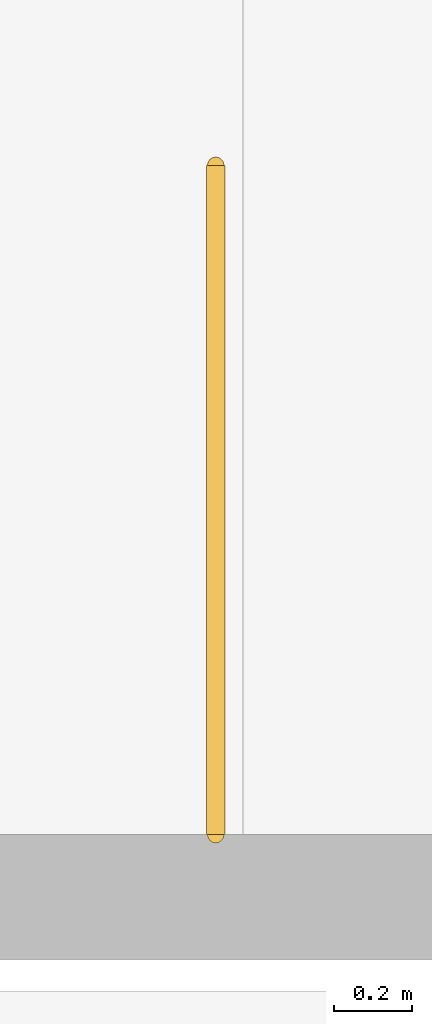
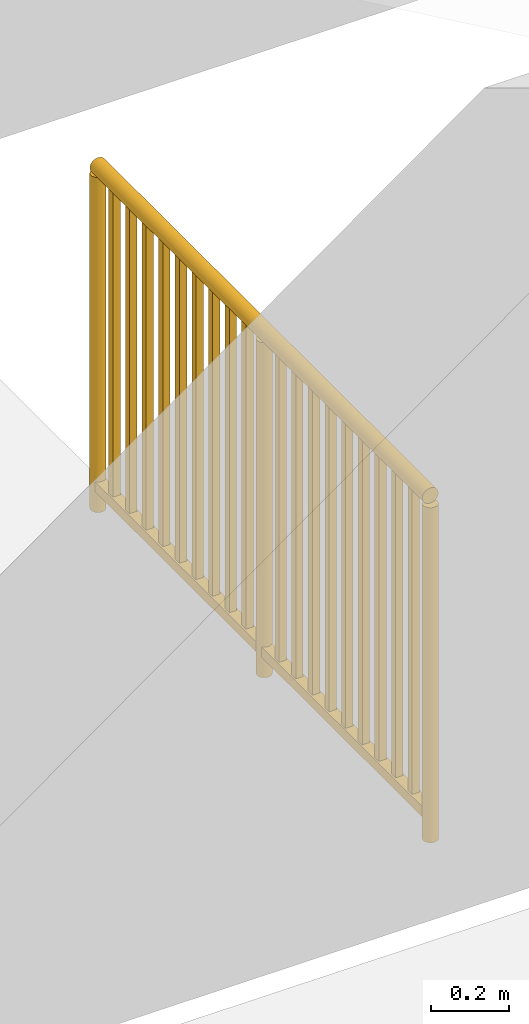
# One storey, part 10 of 10: 1 railing.
"""IFC4 building model written with IfcOpenShell, lengths in metres."""

from ifc_helpers import new_model, si_unit, direction, frame, origin, origin_2d, place, context, subcontext, project, spatial, rectangle, circle, extrude, material, type_object, element, save


model = new_model("IFC4")

# Units and contexts
model_context = context("Model", 3, precision=1e-05, world=origin(), true_north=direction((0.0, 1.0)))
body_context = subcontext(model_context, "Body", "Model", "MODEL_VIEW")
ifc_project = project(units=[si_unit("LENGTHUNIT", "METRE"), si_unit("AREAUNIT", "SQUARE_METRE"), si_unit("VOLUMEUNIT", "CUBIC_METRE"), si_unit("PLANEANGLEUNIT", "RADIAN"), si_unit("MASSUNIT", "GRAM", prefix="KILO")], contexts=[model_context])

# Site, building, storey
site_placement = place(None, origin())
site = spatial("IfcSite", under=ifc_project, at=site_placement, CompositionType="ELEMENT")
building_placement = place(site_placement, origin())
building = spatial("IfcBuilding", under=site, at=building_placement, Name="Zantavel Square City Hall", CompositionType="ELEMENT")
storey_placement = place(building_placement, frame((0.0, 0.0, 28.5)))
storey = spatial("IfcBuildingStorey", under=building, at=storey_placement, Name="RF", CompositionType="ELEMENT", Elevation=28.5)

# Railing
ifc_material = material(Name="Steel ASTM A500 Grade B", Category="steel")
railing_type = type_object("IfcRailingType", Name="Atrium & Gallery Steel Guard Railing 1100mm", PredefinedType="GUARDRAIL", material=ifc_material)
railing_placement = place(storey_placement, frame((65.97998046875, 61.39990234375, 0.0)))
element("IfcRailing", 1, at=railing_placement, inside=storey, type_object=railing_type, Name="RF ST5 top well guard 1", PredefinedType="GUARDRAIL", context=body_context, shape_type="SweptSolid", body=[
    extrude(circle(Radius=0.02392578125, at=origin_2d()), frame((0.0, 0.0, 1.076171875), z_axis=(0.0, 1.0, 0.0), x_axis=(-1.0, 0.0, 0.0)), (0.0, 0.0, 1.0), 1.710205078125),
    extrude(rectangle(XDim=0.031982421875, YDim=0.031982421875, at=origin_2d()), frame((0.0, 0.0, 0.080078125), z_axis=(0.0, 1.0, 0.0), x_axis=(-1.0, 0.0, 0.0)), (0.0, 0.0, 1.0), 1.710205078125),
    extrude(rectangle(XDim=0.02197265625, YDim=0.02197265625, at=origin_2d()), frame((0.0, 0.08544921875, 0.080078125)), (0.0, 0.0, 1.0), 0.971923828125),
    extrude(rectangle(XDim=0.02197265625, YDim=0.02197265625, at=origin_2d()), frame((0.0, 0.1708984375, 0.080078125)), (0.0, 0.0, 1.0), 0.971923828125),
    extrude(rectangle(XDim=0.02197265625, YDim=0.02197265625, at=origin_2d()), frame((0.0, 0.256591796875, 0.080078125)), (0.0, 0.0, 1.0), 0.971923828125),
    extrude(rectangle(XDim=0.02197265625, YDim=0.02197265625, at=origin_2d()), frame((0.0, 0.342041015625, 0.080078125)), (0.0, 0.0, 1.0), 0.971923828125),
    extrude(rectangle(XDim=0.02197265625, YDim=0.02197265625, at=origin_2d()), frame((0.0, 0.427490234375, 0.080078125)), (0.0, 0.0, 1.0), 0.971923828125),
    extrude(rectangle(XDim=0.02197265625, YDim=0.02197265625, at=origin_2d()), frame((0.0, 0.51318359375, 0.080078125)), (0.0, 0.0, 1.0), 0.971923828125),
    extrude(rectangle(XDim=0.02197265625, YDim=0.02197265625, at=origin_2d()), frame((0.0, 0.5986328125, 0.080078125)), (0.0, 0.0, 1.0), 0.971923828125),
    extrude(rectangle(XDim=0.02197265625, YDim=0.02197265625, at=origin_2d()), frame((0.0, 0.68408203125, 0.080078125)), (0.0, 0.0, 1.0), 0.971923828125),
    extrude(rectangle(XDim=0.02197265625, YDim=0.02197265625, at=origin_2d()), frame((0.0, 0.76953125, 0.080078125)), (0.0, 0.0, 1.0), 0.971923828125),
    extrude(rectangle(XDim=0.02197265625, YDim=0.02197265625, at=origin_2d()), frame((0.0, 0.940673828125, 0.080078125)), (0.0, 0.0, 1.0), 0.971923828125),
    extrude(rectangle(XDim=0.02197265625, YDim=0.02197265625, at=origin_2d()), frame((0.0, 1.026123046875, 0.080078125)), (0.0, 0.0, 1.0), 0.971923828125),
    extrude(rectangle(XDim=0.02197265625, YDim=0.02197265625, at=origin_2d()), frame((0.0, 1.111572265625, 0.080078125)), (0.0, 0.0, 1.0), 0.971923828125),
    extrude(rectangle(XDim=0.02197265625, YDim=0.02197265625, at=origin_2d()), frame((0.0, 1.197265625, 0.080078125)), (0.0, 0.0, 1.0), 0.971923828125),
    extrude(rectangle(XDim=0.02197265625, YDim=0.02197265625, at=origin_2d()), frame((0.0, 1.28271484375, 0.080078125)), (0.0, 0.0, 1.0), 0.971923828125),
    extrude(rectangle(XDim=0.02197265625, YDim=0.02197265625, at=origin_2d()), frame((0.0, 1.3681640625, 0.080078125)), (0.0, 0.0, 1.0), 0.971923828125),
    extrude(rectangle(XDim=0.02197265625, YDim=0.02197265625, at=origin_2d()), frame((0.0, 1.45361328125, 0.080078125)), (0.0, 0.0, 1.0), 0.971923828125),
    extrude(rectangle(XDim=0.02197265625, YDim=0.02197265625, at=origin_2d()), frame((0.0, 1.5390625, 0.080078125)), (0.0, 0.0, 1.0), 0.971923828125),
    extrude(rectangle(XDim=0.02197265625, YDim=0.02197265625, at=origin_2d()), frame((0.0, 1.624755859375, 0.080078125)), (0.0, 0.0, 1.0), 0.971923828125),
    extrude(circle(Radius=0.02099609375, at=origin_2d()), origin(), (0.0, 0.0, 1.0), 1.052001953125),
    extrude(circle(Radius=0.02099609375, at=origin_2d()), frame((0.0, 0.85498046875, 0.0)), (0.0, 0.0, 1.0), 1.052001953125),
    extrude(circle(Radius=0.02099609375, at=origin_2d()), frame((0.0, 1.710205078125, 0.0)), (0.0, 0.0, 1.0), 1.052001953125),
])

save(model, "model.ifc")
